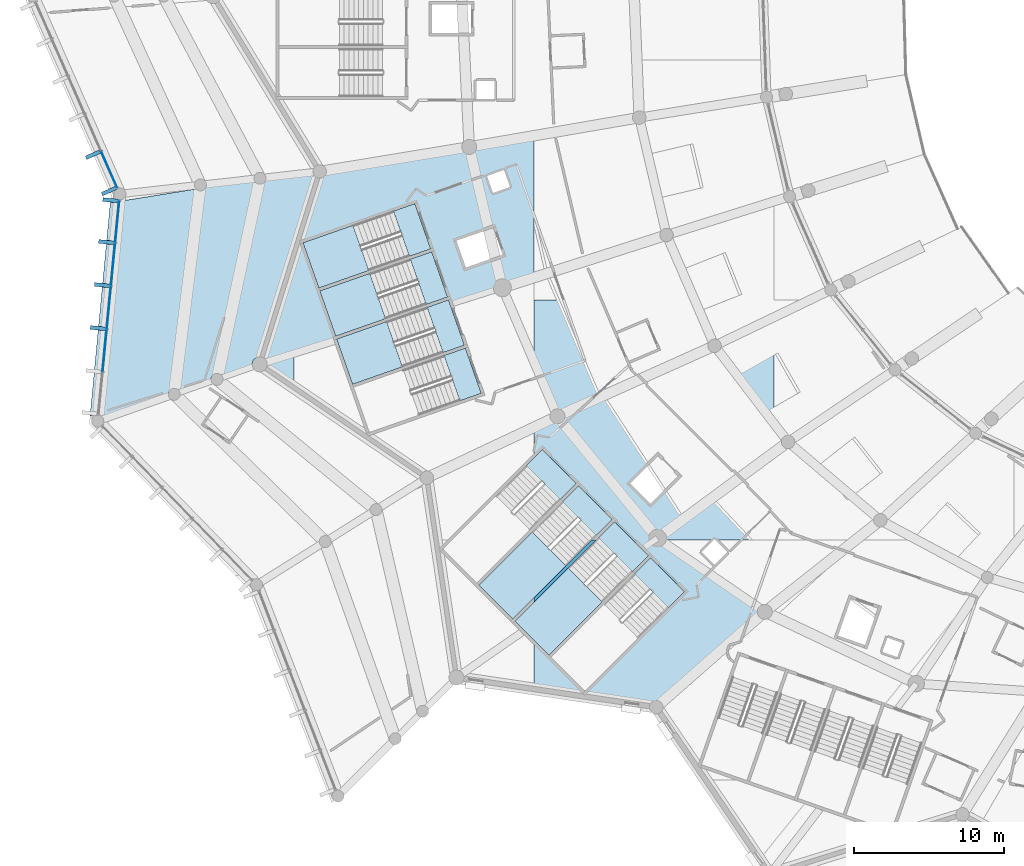
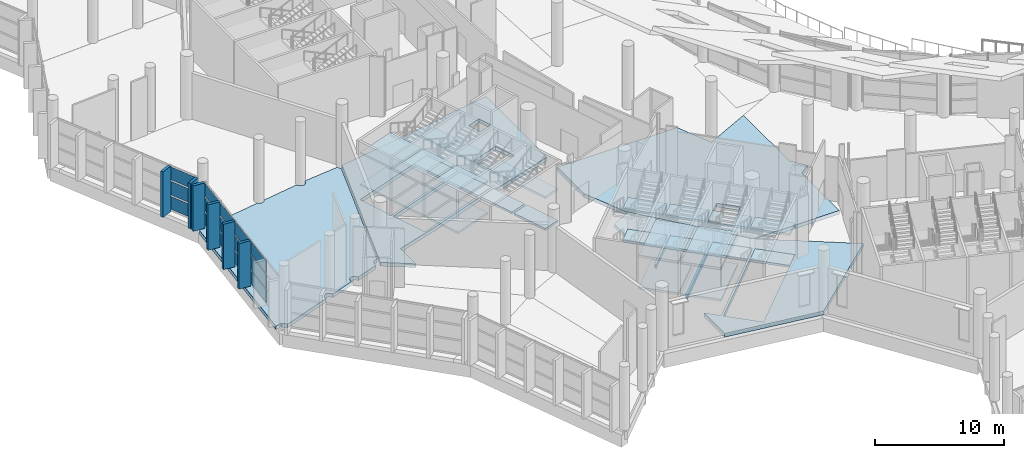
# One storey, part 98 of 249: 31 slabs, 21 plates, 10 elements without a shape of their own.
"""IFC4 building model written with IfcOpenShell, lengths in metres."""

from ifc_helpers import new_model, si_unit, direction, frame, origin, origin_2d, place, context, subcontext, project, spatial, polyline, rectangle, outline, extrude, material, layer, layer_set, type_object, element, aggregate, save


model = new_model("IFC4")

# Units and contexts
model_context = context("Model", 3, precision=1e-05, world=origin(), true_north=direction((0.0, 1.0)))
body_context = subcontext(model_context, "Body", "Model", "MODEL_VIEW")
ifc_project = project(units=[si_unit("LENGTHUNIT", "METRE"), si_unit("AREAUNIT", "SQUARE_METRE"), si_unit("VOLUMEUNIT", "CUBIC_METRE"), si_unit("PLANEANGLEUNIT", "RADIAN"), si_unit("MASSUNIT", "GRAM", prefix="KILO")], contexts=[model_context])

# Site, building, storey
site_placement = place(None, origin())
site = spatial("IfcSite", under=ifc_project, at=site_placement, CompositionType="ELEMENT")
building_placement = place(site_placement, origin())
building = spatial("IfcBuilding", under=site, at=building_placement, Name="Meseta Stadium", CompositionType="ELEMENT")
storey_placement = place(building_placement, frame((0.0, 0.0, 12.0)))
storey = spatial("IfcBuildingStorey", under=building, at=storey_placement, Name="L02", CompositionType="ELEMENT", Elevation=12.0)

# Slabs
ifc_material_1 = material(Name="Concrete C40/50", Category="concrete")
ifc_layer_1 = layer(ifc_material_1, 0.35009765625)
ifc_layer_set_1 = layer_set([ifc_layer_1], Name="Floor slab 350")
slab_type_1 = type_object("IfcSlabType", Name="Floor slab 350", PredefinedType="FLOOR", material=ifc_layer_set_1)
slab_1_placement = place(storey_placement, frame((0.0, 0.0, -0.35009765625)))
element("IfcSlab", 1, at=slab_1_placement, inside=storey, type_object=slab_type_1, Name="Floor slab L02 sector 35 panel 03", PredefinedType="FLOOR", context=body_context, shape_type="SweptSolid", body=[
    extrude(outline(polyline([(-85.63037109375, -64.211181640625), (-80.0, -62.44580078125), (-80.0, -52.975830078125), (-84.33154296875, -53.67333984375), (-84.3251953125, -53.801513671875), (-94.29443359375, -55.44140625), (-98.291015625, -68.297607421875), (-96.0, -69.85205078125), (-96.0, -67.46240234375), (-92.1708984375, -66.26171875), (-85.70458984375, -63.9990234375), (-85.63037109375, -64.211181640625)]), holes=[polyline([(-82.723876953125, -59.195068359375), (-82.09619140625, -60.988525390625), (-84.55029296875, -61.84716796875), (-85.177978515625, -60.0537109375), (-82.723876953125, -59.195068359375)]), polyline([(-94.2841796875, -63.399169921875), (-86.827392578125, -60.789794921875), (-85.7705078125, -63.810302734375), (-93.227294921875, -66.419677734375), (-94.2841796875, -63.399169921875)]), polyline([(-95.406982421875, -60.18994140625), (-87.950439453125, -57.580810546875), (-86.8935546875, -60.601318359375), (-94.35009765625, -63.21044921875), (-95.406982421875, -60.18994140625)]), polyline([(-82.74267578125, -56.870849609375), (-83.138916015625, -55.73828125), (-82.006103515625, -55.341796875), (-81.60986328125, -56.474609375), (-82.74267578125, -56.870849609375)])]), origin(), (0.0, 0.0, 1.0), 0.35009765625),
])
slab_2_placement = place(storey_placement, frame((0.0, 0.0, -0.35009765625)))
element("IfcSlab", 2, at=slab_2_placement, inside=storey, type_object=slab_type_1, Name="Floor slab L02 sector 35 panel 08", PredefinedType="FLOOR", context=body_context, shape_type="SweptSolid", body=[
    extrude(outline(polyline([(-80.0, -83.858642578125), (-80.0, -84.141357421875), (-75.858642578125, -80.0), (-76.141357421875, -80.0), (-80.0, -83.858642578125)])), origin(), (0.0, 0.0, 1.0), 0.35009765625),
])
slab_3_placement = place(storey_placement, frame((0.0, 0.0, -0.35009765625)))
element("IfcSlab", 3, at=slab_3_placement, inside=storey, type_object=slab_type_1, Name="Floor slab L02 sector 35 panel 09", PredefinedType="FLOOR", context=body_context, shape_type="SweptSolid", body=[
    extrude(outline(polyline([(-74.779296875, -78.6376953125), (-76.141357421875, -80.0), (-75.858642578125, -80.0), (-74.6376953125, -78.779296875), (-72.375, -81.0419921875), (-79.02197265625, -87.688720703125), (-80.0, -86.710693359375), (-80.0, -89.94189453125), (-71.856689453125, -91.15087890625), (-64.6220703125, -84.79248046875), (-71.775390625, -79.888916015625), (-78.246337890625, -71.998779296875), (-80.0, -72.84228515625), (-80.0, -74.524658203125), (-79.4462890625, -73.970947265625), (-77.183349609375, -76.233642578125), (-80.0, -79.05029296875), (-80.0, -79.3330078125), (-77.0419921875, -76.375), (-74.779296875, -78.6376953125)]), holes=[polyline([(-78.880615234375, -87.830078125), (-72.233642578125, -81.183349609375), (-69.970947265625, -83.4462890625), (-76.61767578125, -90.093017578125), (-78.880615234375, -87.830078125)])]), origin(), (0.0, 0.0, 1.0), 0.35009765625),
])
slab_4_placement = place(storey_placement, frame((0.0, 0.0, -0.35009765625)))
element("IfcSlab", 4, at=slab_4_placement, inside=storey, type_object=slab_type_1, Name="Floor slab L02 sector 35 panel 11", PredefinedType="FLOOR", context=body_context, shape_type="SweptSolid", body=[
    extrude(outline(polyline([(-64.0, -65.1474609375), (-67.972412109375, -67.057861328125), (-69.297119140625, -64.0), (-80.0, -64.0), (-80.0, -68.13232421875), (-78.4453125, -71.756103515625), (-71.775390625, -79.888916015625), (-71.61328125, -80.0), (-68.009765625, -80.0), (-67.963134765625, -79.953369140625), (-67.91650390625, -80.0), (-64.0, -80.0), (-64.0, -74.15673828125), (-63.068115234375, -73.469970703125), (-64.0, -72.251708984375), (-64.0, -65.1474609375)]), holes=[polyline([(-73.584716796875, -76.2412109375), (-71.74609375, -74.402587890625), (-70.402587890625, -75.74609375), (-72.2412109375, -77.584716796875), (-73.584716796875, -76.2412109375)])]), origin(), (0.0, 0.0, 1.0), 0.35009765625),
])
slab_5_placement = place(storey_placement, frame((0.0, 0.0, -0.35009765625)))
element("IfcSlab", 5, at=slab_5_placement, inside=storey, type_object=slab_type_1, Name="Ring floor slab L02 5 part 2 panel 03", PredefinedType="FLOOR", context=body_context, shape_type="SweptSolid", body=[
    extrude(outline(polyline([(-94.74169921875, -55.491943359375), (-97.87158203125, -55.844482421875), (-97.86572265625, -55.889404296875), (-97.879638671875, -55.993896484375), (-97.919921875, -56.091064453125), (-97.98388671875, -56.174560546875), (-98.0673828125, -56.23876953125), (-98.164794921875, -56.279052734375), (-98.269287109375, -56.292724609375), (-98.373779296875, -56.279052734375), (-98.470947265625, -56.23876953125), (-98.554443359375, -56.174560546875), (-98.61865234375, -56.091064453125), (-98.658935546875, -55.993896484375), (-98.66064453125, -55.981201171875), (-101.87841796875, -56.49951171875), (-101.894775390625, -56.538818359375), (-101.958740234375, -56.62255859375), (-102.04248046875, -56.6865234375), (-102.1396484375, -56.726806640625), (-102.244140625, -56.740478515625), (-102.348388671875, -56.726806640625), (-102.44580078125, -56.6865234375), (-102.529296875, -56.62255859375), (-102.541748046875, -56.606201171875), (-108.255615234375, -57.526611328125), (-109.601318359375, -71.726806640625), (-109.03564453125, -71.54931640625), (-109.048095703125, -71.6767578125), (-108.982421875, -71.685302734375), (-108.88525390625, -71.7255859375), (-108.801513671875, -71.789794921875), (-108.737548828125, -71.873291015625), (-108.708740234375, -71.94287109375), (-104.3681640625, -70.423828125), (-104.379638671875, -70.39599609375), (-104.393310546875, -70.29150390625), (-104.379638671875, -70.18701171875), (-104.33935546875, -70.08984375), (-104.275146484375, -70.00634765625), (-104.191650390625, -69.942138671875), (-104.094482421875, -69.90185546875), (-103.989990234375, -69.88818359375), (-103.885498046875, -69.90185546875), (-103.7880859375, -69.942138671875), (-103.70458984375, -70.00634765625), (-103.640380859375, -70.08984375), (-103.61181640625, -70.1591796875), (-101.5185546875, -69.4267578125), (-101.5302734375, -69.39892578125), (-101.5439453125, -69.29443359375), (-101.5302734375, -69.190185546875), (-101.489990234375, -69.0927734375), (-101.42578125, -69.00927734375), (-101.34228515625, -68.945068359375), (-101.2451171875, -68.90478515625), (-101.140380859375, -68.89111328125), (-101.0361328125, -68.90478515625), (-100.938720703125, -68.945068359375), (-100.855224609375, -69.00927734375), (-100.791015625, -69.0927734375), (-100.762451171875, -69.162109375), (-98.763916015625, -68.462890625), (-98.7783203125, -68.427978515625), (-98.79541015625, -68.297607421875), (-98.7783203125, -68.1669921875), (-98.727783203125, -68.04541015625), (-98.647705078125, -67.94091796875), (-98.543212890625, -67.860595703125), (-98.421630859375, -67.810302734375), (-98.29150390625, -67.793212890625), (-94.563720703125, -55.802001953125), (-94.615478515625, -55.762451171875), (-94.6875, -55.66845703125), (-94.73291015625, -55.558837890625), (-94.74169921875, -55.491943359375)])), origin(), (0.0, 0.0, 1.0), 0.35009765625),
])

# Curtain wall, plates
ifc_material_2 = material(Name="Aluminium", Category="aluminium")
ifc_layer_2 = layer(ifc_material_2, 0.199951171875)
ifc_layer_set_2 = layer_set([ifc_layer_2], Name="Ring shopfront curtain wall")
curtain_wall_type = type_object("IfcCurtainWallType", Name="Ring shopfront curtain wall", PredefinedType="NOTDEFINED", material=ifc_layer_set_2)
curtain_wall_1_placement = place(storey_placement, origin())
curtain_wall_1 = element("IfcCurtainWall", 6, at=curtain_wall_1_placement, inside=storey, type_object=curtain_wall_type, Name="Ring glazing L02 F36", PredefinedType="NOTDEFINED")
ifc_material_3 = material(Name="Glass", Category="glass")
ifc_layer_3 = layer(ifc_material_3, 0.035888671875)
ifc_layer_set_3 = layer_set([ifc_layer_3], Name="Ring CW glass panel 36")
plate_type_1 = type_object("IfcPlateType", Name="Ring CW glass panel 36", PredefinedType="CURTAIN_PANEL", material=ifc_layer_set_3)
plate_1_placement = place(storey_placement, frame((-108.32373046875, -55.31591796875, 0.14990234375), z_axis=(0.0, 0.0, 1.0), x_axis=(0.401891921186, -0.915687110145, 0.0)))
plate_1 = element("IfcPlate", 7, at=plate_1_placement, type_object=plate_type_1, Name="CWR1 panel 5.1", PredefinedType="CURTAIN_PANEL", context=body_context, shape_type="SweptSolid", body=[
    extrude(rectangle(XDim=2.63134765625, YDim=0.035888671875, at=origin_2d()), origin(), (0.0, 0.0, 1.0), 1.208251953125),
])
plate_2_placement = place(storey_placement, frame((-108.32373046875, -55.31591796875, 1.50830078125), z_axis=(0.0, 0.0, 1.0), x_axis=(0.401891921186, -0.915687110145, 0.0)))
plate_2 = element("IfcPlate", 8, at=plate_2_placement, type_object=plate_type_1, Name="CWR1 panel 5.2", PredefinedType="CURTAIN_PANEL", context=body_context, shape_type="SweptSolid", body=[
    extrude(rectangle(XDim=2.63134765625, YDim=0.035888671875, at=origin_2d()), origin(), (0.0, 0.0, 1.0), 1.283447265625),
])
plate_3_placement = place(storey_placement, frame((-108.32373046875, -55.31591796875, 2.94189453125), z_axis=(0.0, 0.0, 1.0), x_axis=(0.401891921186, -0.915687110145, 0.0)))
plate_3 = element("IfcPlate", 9, at=plate_3_placement, type_object=plate_type_1, Name="CWR1 panel 5.3", PredefinedType="CURTAIN_PANEL", context=body_context, shape_type="SweptSolid", body=[
    extrude(rectangle(XDim=2.63134765625, YDim=0.035888671875, at=origin_2d()), origin(), (0.0, 0.0, 1.0), 1.208251953125),
])
aggregate(curtain_wall_1, [plate_1, plate_2, plate_3])

curtain_wall_2_placement = place(storey_placement, origin())
curtain_wall_2 = element("IfcCurtainWall", 10, at=curtain_wall_2_placement, inside=storey, type_object=curtain_wall_type, Name="Ring glazing L02 F37", PredefinedType="NOTDEFINED")
plate_4_placement = place(storey_placement, frame((-107.790283203125, -58.78857421875, 0.14990234375), z_axis=(0.0, 0.0, 1.0), x_axis=(-0.097124618973, -0.995272228282, 0.0)))
plate_4 = element("IfcPlate", 11, at=plate_4_placement, type_object=plate_type_1, Name="CWR1 panel 1.1", PredefinedType="CURTAIN_PANEL", context=body_context, shape_type="SweptSolid", body=[
    extrude(rectangle(XDim=2.791015625, YDim=0.035888671875, at=origin_2d()), origin(), (0.0, 0.0, 1.0), 1.208251953125),
])
plate_5_placement = place(storey_placement, frame((-107.790283203125, -58.78857421875, 1.50830078125), z_axis=(0.0, 0.0, 1.0), x_axis=(-0.097124618973, -0.995272228282, 0.0)))
plate_5 = element("IfcPlate", 12, at=plate_5_placement, type_object=plate_type_1, Name="CWR1 panel 1.2", PredefinedType="CURTAIN_PANEL", context=body_context, shape_type="SweptSolid", body=[
    extrude(rectangle(XDim=2.791015625, YDim=0.035888671875, at=origin_2d()), origin(), (0.0, 0.0, 1.0), 1.283447265625),
])
plate_6_placement = place(storey_placement, frame((-107.790283203125, -58.78857421875, 2.94189453125), z_axis=(0.0, 0.0, 1.0), x_axis=(-0.097124618973, -0.995272228282, 0.0)))
plate_6 = element("IfcPlate", 13, at=plate_6_placement, type_object=plate_type_1, Name="CWR1 panel 1.3", PredefinedType="CURTAIN_PANEL", context=body_context, shape_type="SweptSolid", body=[
    extrude(rectangle(XDim=2.791015625, YDim=0.035888671875, at=origin_2d()), origin(), (0.0, 0.0, 1.0), 1.208251953125),
])
plate_7_placement = place(storey_placement, frame((-108.06884765625, -61.64111328125, 0.14990234375), z_axis=(0.0, 0.0, 1.0), x_axis=(-0.097124618973, -0.995272228282, 0.0)))
plate_7 = element("IfcPlate", 14, at=plate_7_placement, type_object=plate_type_1, Name="CWR1 panel 2.1", PredefinedType="CURTAIN_PANEL", context=body_context, shape_type="SweptSolid", body=[
    extrude(rectangle(XDim=2.821044921875, YDim=0.035888671875, at=origin_2d()), origin(), (0.0, 0.0, 1.0), 1.208251953125),
])
plate_8_placement = place(storey_placement, frame((-108.06884765625, -61.64111328125, 1.50830078125), z_axis=(0.0, 0.0, 1.0), x_axis=(-0.097124618973, -0.995272228282, 0.0)))
plate_8 = element("IfcPlate", 15, at=plate_8_placement, type_object=plate_type_1, Name="CWR1 panel 2.2", PredefinedType="CURTAIN_PANEL", context=body_context, shape_type="SweptSolid", body=[
    extrude(rectangle(XDim=2.821044921875, YDim=0.035888671875, at=origin_2d()), origin(), (0.0, 0.0, 1.0), 1.283447265625),
])
plate_9_placement = place(storey_placement, frame((-108.06884765625, -61.64111328125, 2.94189453125), z_axis=(0.0, 0.0, 1.0), x_axis=(-0.097124618973, -0.995272228282, 0.0)))
plate_9 = element("IfcPlate", 16, at=plate_9_placement, type_object=plate_type_1, Name="CWR1 panel 2.3", PredefinedType="CURTAIN_PANEL", context=body_context, shape_type="SweptSolid", body=[
    extrude(rectangle(XDim=2.821044921875, YDim=0.035888671875, at=origin_2d()), origin(), (0.0, 0.0, 1.0), 1.208251953125),
])
plate_10_placement = place(storey_placement, frame((-108.3486328125, -64.508544921875, 0.14990234375), z_axis=(0.0, 0.0, 1.0), x_axis=(-0.097124618973, -0.995272228282, 0.0)))
plate_10 = element("IfcPlate", 17, at=plate_10_placement, type_object=plate_type_1, Name="CWR1 panel 3.1", PredefinedType="CURTAIN_PANEL", context=body_context, shape_type="SweptSolid", body=[
    extrude(rectangle(XDim=2.821044921875, YDim=0.035888671875, at=origin_2d()), origin(), (0.0, 0.0, 1.0), 1.208251953125),
])
plate_11_placement = place(storey_placement, frame((-108.3486328125, -64.508544921875, 1.50830078125), z_axis=(0.0, 0.0, 1.0), x_axis=(-0.097124618973, -0.995272228282, 0.0)))
plate_11 = element("IfcPlate", 18, at=plate_11_placement, type_object=plate_type_1, Name="CWR1 panel 3.2", PredefinedType="CURTAIN_PANEL", context=body_context, shape_type="SweptSolid", body=[
    extrude(rectangle(XDim=2.821044921875, YDim=0.035888671875, at=origin_2d()), origin(), (0.0, 0.0, 1.0), 1.283447265625),
])
plate_12_placement = place(storey_placement, frame((-108.3486328125, -64.508544921875, 2.94189453125), z_axis=(0.0, 0.0, 1.0), x_axis=(-0.097124618973, -0.995272228282, 0.0)))
plate_12 = element("IfcPlate", 19, at=plate_12_placement, type_object=plate_type_1, Name="CWR1 panel 3.3", PredefinedType="CURTAIN_PANEL", context=body_context, shape_type="SweptSolid", body=[
    extrude(rectangle(XDim=2.821044921875, YDim=0.035888671875, at=origin_2d()), origin(), (0.0, 0.0, 1.0), 1.208251953125),
])
plate_13_placement = place(storey_placement, frame((-108.62841796875, -67.3759765625, 0.14990234375), z_axis=(0.0, 0.0, 1.0), x_axis=(-0.097124618973, -0.995272228282, 0.0)))
plate_13 = element("IfcPlate", 20, at=plate_13_placement, type_object=plate_type_1, Name="CWR1 panel 4.1", PredefinedType="CURTAIN_PANEL", context=body_context, shape_type="SweptSolid", body=[
    extrude(rectangle(XDim=2.821044921875, YDim=0.035888671875, at=origin_2d()), origin(), (0.0, 0.0, 1.0), 1.208251953125),
])
plate_14_placement = place(storey_placement, frame((-108.62841796875, -67.3759765625, 1.50830078125), z_axis=(0.0, 0.0, 1.0), x_axis=(-0.097124618973, -0.995272228282, 0.0)))
plate_14 = element("IfcPlate", 21, at=plate_14_placement, type_object=plate_type_1, Name="CWR1 panel 4.2", PredefinedType="CURTAIN_PANEL", context=body_context, shape_type="SweptSolid", body=[
    extrude(rectangle(XDim=2.821044921875, YDim=0.035888671875, at=origin_2d()), origin(), (0.0, 0.0, 1.0), 1.283447265625),
])
plate_15_placement = place(storey_placement, frame((-108.62841796875, -67.3759765625, 2.94189453125), z_axis=(0.0, 0.0, 1.0), x_axis=(-0.097124618973, -0.995272228282, 0.0)))
plate_15 = element("IfcPlate", 22, at=plate_15_placement, type_object=plate_type_1, Name="CWR1 panel 4.3", PredefinedType="CURTAIN_PANEL", context=body_context, shape_type="SweptSolid", body=[
    extrude(rectangle(XDim=2.821044921875, YDim=0.035888671875, at=origin_2d()), origin(), (0.0, 0.0, 1.0), 1.208251953125),
])
aggregate(curtain_wall_2, [plate_4, plate_5, plate_6, plate_7, plate_8, plate_9, plate_10, plate_11, plate_12, plate_13, plate_14, plate_15])

# Plates
ifc_material_4 = material(Name="Precast concrete C40/50", Category="concrete")
ifc_layer_4 = layer(ifc_material_4, 0.25)
ifc_layer_set_4 = layer_set([ifc_layer_4], Name="Ring brise-soleil fin 250x1000")
plate_type_2 = type_object("IfcPlateType", Name="Ring brise-soleil fin 250x1000", PredefinedType="USERDEFINED", material=ifc_layer_set_4)
for number, where, z_axis, x_axis, name in (
    (23, (-109.4140625, -54.32470703125, 0.0), (0.0, 0.0, 1.0), (0.401891841261, -0.915687145224, 0.0), "Brise-soleil fin L02 F36.5"),
    (24, (-108.3505859375, -56.748046875, 0.0), (0.0, 0.0, 1.0), (0.401891841261, -0.915687145224, 0.0), "Brise-soleil fin L02 F36.6"),
    (25, (-108.25341796875, -57.356201171875, 0.0), (0.0, 0.0, 1.0), (-0.097122584472, -0.995272426819, 0.0), "Brise-soleil fin L02 F37.1"),
    (26, (-108.52587890625, -60.14892578125, 0.0), (0.0, 0.0, 1.0), (-0.097122584472, -0.995272426819, 0.0), "Brise-soleil fin L02 F37.2"),
    (27, (-108.805908203125, -63.0166015625, 0.0), (0.0, 0.0, 1.0), (-0.097122584472, -0.995272426819, 0.0), "Brise-soleil fin L02 F37.3"),
    (28, (-109.085693359375, -65.8837890625, 0.0), (0.0, 0.0, 1.0), (-0.097122584472, -0.995272426819, 0.0), "Brise-soleil fin L02 F37.4"),
):
    element("IfcPlate", number, at=place(storey_placement, frame(where, z_axis=z_axis, x_axis=x_axis)), inside=storey, type_object=plate_type_2, Name=name, ObjectType="FIN", PredefinedType="USERDEFINED", context=body_context, shape_type="SweptSolid", body=[
        extrude(rectangle(XDim=0.25, YDim=1.0, at=origin_2d()), origin(), (0.0, 0.0, 1.0), 4.300048828125),
    ])

# Stair, slabs
ifc_material_5 = material(Name="Concrete C40/50", Category="concrete")
stair_type = type_object("IfcStairType", Name="Exit stair 4 flights 150 mm risers", PredefinedType="HALF_TURN_STAIR", material=ifc_material_5)
stair_1_placement = place(storey_placement, origin())
stair_1 = element("IfcStair", 29, at=stair_1_placement, inside=storey, type_object=stair_type, Name="ST77 L02", PredefinedType="HALF_TURN_STAIR")
ifc_material_6 = material(Name="Concrete C40/50", Category="concrete")
ifc_layer_5 = layer(ifc_material_6, 0.199951171875)
ifc_layer_set_5 = layer_set([ifc_layer_5], Name="Stair landing 200")
slab_type_2 = type_object("IfcSlabType", Name="Stair landing 200", PredefinedType="LANDING", material=ifc_layer_set_5)
slab_6_placement = place(storey_placement, frame((0.0, 0.0, 1.300048828125)))
slab_6 = element("IfcSlab", 30, at=slab_6_placement, type_object=slab_type_2, Name="ST77 L02 landing 1", PredefinedType="LANDING", context=body_context, shape_type="SweptSolid", body=[
    extrude(outline(polyline([(-92.0751953125, -59.024169921875), (-95.406982421875, -60.18994140625), (-94.35009765625, -63.21044921875), (-91.018310546875, -62.04443359375), (-92.0751953125, -59.024169921875)])), origin(), (0.0, 0.0, 1.0), 0.199951171875),
])
slab_7_placement = place(storey_placement, frame((0.0, 0.0, 2.800048828125)))
slab_7 = element("IfcSlab", 31, at=slab_7_placement, type_object=slab_type_2, Name="ST77 L02 landing 2", PredefinedType="LANDING", context=body_context, shape_type="SweptSolid", body=[
    extrude(outline(polyline([(-87.950439453125, -57.580810546875), (-89.375732421875, -58.079345703125), (-88.31884765625, -61.099853515625), (-86.8935546875, -60.60107421875), (-87.950439453125, -57.580810546875)])), origin(), (0.0, 0.0, 1.0), 0.199951171875),
])
slab_8_placement = place(storey_placement, frame((0.0, 0.0, 4.300048828125)))
slab_8 = element("IfcSlab", 32, at=slab_8_placement, type_object=slab_type_2, Name="ST77 L02 landing 3", PredefinedType="LANDING", context=body_context, shape_type="SweptSolid", body=[
    extrude(outline(polyline([(-92.0751953125, -59.024169921875), (-95.406982421875, -60.18994140625), (-94.35009765625, -63.21044921875), (-91.018310546875, -62.04443359375), (-92.0751953125, -59.024169921875)])), origin(), (0.0, 0.0, 1.0), 0.199951171875),
])
slab_9_placement = place(storey_placement, frame((0.0, 0.0, -0.199951171875)))
slab_9 = element("IfcSlab", 33, at=slab_9_placement, type_object=slab_type_2, Name="ST77 L02 landing 4", PredefinedType="LANDING", context=body_context, shape_type="SweptSolid", body=[
    extrude(outline(polyline([(-87.950439453125, -57.580810546875), (-89.375732421875, -58.079345703125), (-88.31884765625, -61.099853515625), (-86.8935546875, -60.60107421875), (-87.950439453125, -57.580810546875)])), origin(), (0.0, 0.0, 1.0), 0.199951171875),
])
aggregate(stair_1, [slab_6, slab_7, slab_8, slab_9])

stair_2_placement = place(storey_placement, origin())
stair_2 = element("IfcStair", 34, at=stair_2_placement, inside=storey, type_object=stair_type, Name="ST78 L02", PredefinedType="HALF_TURN_STAIR")
slab_10_placement = place(storey_placement, frame((0.0, 0.0, 1.300048828125)))
slab_10 = element("IfcSlab", 35, at=slab_10_placement, type_object=slab_type_2, Name="ST78 L02 landing 1", PredefinedType="LANDING", context=body_context, shape_type="SweptSolid", body=[
    extrude(outline(polyline([(-90.9521484375, -62.233154296875), (-94.2841796875, -63.399169921875), (-93.227294921875, -66.419677734375), (-89.895263671875, -65.253662109375), (-90.9521484375, -62.233154296875)])), origin(), (0.0, 0.0, 1.0), 0.199951171875),
])
slab_11_placement = place(storey_placement, frame((0.0, 0.0, 2.800048828125)))
slab_11 = element("IfcSlab", 36, at=slab_11_placement, type_object=slab_type_2, Name="ST78 L02 landing 2", PredefinedType="LANDING", context=body_context, shape_type="SweptSolid", body=[
    extrude(outline(polyline([(-86.827392578125, -60.7900390625), (-88.252685546875, -61.28857421875), (-87.19580078125, -64.30908203125), (-85.7705078125, -63.810302734375), (-86.827392578125, -60.7900390625)])), origin(), (0.0, 0.0, 1.0), 0.199951171875),
])
slab_12_placement = place(storey_placement, frame((0.0, 0.0, 4.300048828125)))
slab_12 = element("IfcSlab", 37, at=slab_12_placement, type_object=slab_type_2, Name="ST78 L02 landing 3", PredefinedType="LANDING", context=body_context, shape_type="SweptSolid", body=[
    extrude(outline(polyline([(-90.9521484375, -62.233154296875), (-94.2841796875, -63.399169921875), (-93.227294921875, -66.419677734375), (-89.895263671875, -65.253662109375), (-90.9521484375, -62.233154296875)])), origin(), (0.0, 0.0, 1.0), 0.199951171875),
])
slab_13_placement = place(storey_placement, frame((0.0, 0.0, -0.199951171875)))
slab_13 = element("IfcSlab", 38, at=slab_13_placement, type_object=slab_type_2, Name="ST78 L02 landing 4", PredefinedType="LANDING", context=body_context, shape_type="SweptSolid", body=[
    extrude(outline(polyline([(-86.827392578125, -60.7900390625), (-88.252685546875, -61.28857421875), (-87.19580078125, -64.30908203125), (-85.7705078125, -63.810302734375), (-86.827392578125, -60.7900390625)])), origin(), (0.0, 0.0, 1.0), 0.199951171875),
])
aggregate(stair_2, [slab_10, slab_11, slab_12, slab_13])

stair_3_placement = place(storey_placement, origin())
stair_3 = element("IfcStair", 39, at=stair_3_placement, inside=storey, type_object=stair_type, Name="ST79 L02", PredefinedType="HALF_TURN_STAIR")
slab_14_placement = place(storey_placement, frame((0.0, 0.0, 1.300048828125)))
slab_14 = element("IfcSlab", 40, at=slab_14_placement, type_object=slab_type_2, Name="ST79 L02 landing 1", PredefinedType="LANDING", context=body_context, shape_type="SweptSolid", body=[
    extrude(outline(polyline([(-89.829345703125, -65.4423828125), (-93.1611328125, -66.6083984375), (-92.104248046875, -69.628662109375), (-88.772216796875, -68.462890625), (-89.829345703125, -65.4423828125)])), origin(), (0.0, 0.0, 1.0), 0.199951171875),
])
slab_15_placement = place(storey_placement, frame((0.0, 0.0, 2.800048828125)))
slab_15 = element("IfcSlab", 41, at=slab_15_placement, type_object=slab_type_2, Name="ST79 L02 landing 2", PredefinedType="LANDING", context=body_context, shape_type="SweptSolid", body=[
    extrude(outline(polyline([(-85.704345703125, -63.9990234375), (-87.129638671875, -64.497802734375), (-86.07275390625, -67.518310546875), (-84.6474609375, -67.01953125), (-85.704345703125, -63.9990234375)])), origin(), (0.0, 0.0, 1.0), 0.199951171875),
])
slab_16_placement = place(storey_placement, frame((0.0, 0.0, 4.300048828125)))
slab_16 = element("IfcSlab", 42, at=slab_16_placement, type_object=slab_type_2, Name="ST79 L02 landing 3", PredefinedType="LANDING", context=body_context, shape_type="SweptSolid", body=[
    extrude(outline(polyline([(-89.829345703125, -65.4423828125), (-93.1611328125, -66.6083984375), (-92.104248046875, -69.628662109375), (-88.772216796875, -68.462890625), (-89.829345703125, -65.4423828125)])), origin(), (0.0, 0.0, 1.0), 0.199951171875),
])
slab_17_placement = place(storey_placement, frame((0.0, 0.0, -0.199951171875)))
slab_17 = element("IfcSlab", 43, at=slab_17_placement, type_object=slab_type_2, Name="ST79 L02 landing 4", PredefinedType="LANDING", context=body_context, shape_type="SweptSolid", body=[
    extrude(outline(polyline([(-85.704345703125, -63.9990234375), (-87.129638671875, -64.497802734375), (-86.07275390625, -67.518310546875), (-84.6474609375, -67.01953125), (-85.704345703125, -63.9990234375)])), origin(), (0.0, 0.0, 1.0), 0.199951171875),
])
aggregate(stair_3, [slab_14, slab_15, slab_16, slab_17])

stair_4_placement = place(storey_placement, origin())
stair_4 = element("IfcStair", 44, at=stair_4_placement, inside=storey, type_object=stair_type, Name="ST80 L02", PredefinedType="HALF_TURN_STAIR")
slab_18_placement = place(storey_placement, frame((0.0, 0.0, 2.800048828125)))
slab_18 = element("IfcSlab", 45, at=slab_18_placement, type_object=slab_type_2, Name="ST80 L02 landing 2", PredefinedType="LANDING", context=body_context, shape_type="SweptSolid", body=[
    extrude(outline(polyline([(-84.58154296875, -67.208251953125), (-86.0068359375, -67.70703125), (-84.949951171875, -70.7275390625), (-83.524658203125, -70.228759765625), (-84.58154296875, -67.208251953125)])), origin(), (0.0, 0.0, 1.0), 0.199951171875),
])
slab_19_placement = place(storey_placement, frame((0.0, 0.0, -0.199951171875)))
slab_19 = element("IfcSlab", 46, at=slab_19_placement, type_object=slab_type_2, Name="ST80 L02 landing 4", PredefinedType="LANDING", context=body_context, shape_type="SweptSolid", body=[
    extrude(outline(polyline([(-84.58154296875, -67.208251953125), (-86.0068359375, -67.70703125), (-84.949951171875, -70.7275390625), (-83.524658203125, -70.228759765625), (-84.58154296875, -67.208251953125)])), origin(), (0.0, 0.0, 1.0), 0.199951171875),
])
aggregate(stair_4, [slab_18, slab_19])

stair_5_placement = place(storey_placement, origin())
stair_5 = element("IfcStair", 47, at=stair_5_placement, inside=storey, type_object=stair_type, Name="ST81 L02", PredefinedType="HALF_TURN_STAIR")
slab_20_placement = place(storey_placement, frame((0.0, 0.0, 2.800048828125)))
slab_20 = element("IfcSlab", 48, at=slab_20_placement, type_object=slab_type_2, Name="ST81 L02 landing 2", PredefinedType="LANDING", context=body_context, shape_type="SweptSolid", body=[
    extrude(outline(polyline([(-79.446044921875, -73.970947265625), (-80.513916015625, -75.03857421875), (-78.251220703125, -77.301513671875), (-77.183349609375, -76.233642578125), (-79.446044921875, -73.970947265625)])), origin(), (0.0, 0.0, 1.0), 0.199951171875),
])
slab_21_placement = place(storey_placement, frame((0.0, 0.0, -0.199951171875)))
slab_21 = element("IfcSlab", 49, at=slab_21_placement, type_object=slab_type_2, Name="ST81 L02 landing 4", PredefinedType="LANDING", context=body_context, shape_type="SweptSolid", body=[
    extrude(outline(polyline([(-79.446044921875, -73.970947265625), (-80.513916015625, -75.03857421875), (-78.251220703125, -77.301513671875), (-77.183349609375, -76.233642578125), (-79.446044921875, -73.970947265625)])), origin(), (0.0, 0.0, 1.0), 0.199951171875),
])
aggregate(stair_5, [slab_20, slab_21])

stair_6_placement = place(storey_placement, origin())
stair_6 = element("IfcStair", 50, at=stair_6_placement, inside=storey, type_object=stair_type, Name="ST82 L02", PredefinedType="HALF_TURN_STAIR")
slab_22_placement = place(storey_placement, frame((0.0, 0.0, 1.300048828125)))
slab_22 = element("IfcSlab", 51, at=slab_22_placement, type_object=slab_type_2, Name="ST82 L02 landing 1", PredefinedType="LANDING", context=body_context, shape_type="SweptSolid", body=[
    extrude(outline(polyline([(-80.132080078125, -79.465087890625), (-83.688720703125, -83.02197265625), (-81.426025390625, -85.28466796875), (-77.869384765625, -81.727783203125), (-80.132080078125, -79.465087890625)])), origin(), (0.0, 0.0, 1.0), 0.199951171875),
])
slab_23_placement = place(storey_placement, frame((0.0, 0.0, 2.800048828125)))
slab_23 = element("IfcSlab", 52, at=slab_23_placement, type_object=slab_type_2, Name="ST82 L02 landing 2", PredefinedType="LANDING", context=body_context, shape_type="SweptSolid", body=[
    extrude(outline(polyline([(-77.0419921875, -76.375), (-78.109619140625, -77.44287109375), (-75.846923828125, -79.70556640625), (-74.779296875, -78.637939453125), (-77.0419921875, -76.375)])), origin(), (0.0, 0.0, 1.0), 0.199951171875),
])
slab_24_placement = place(storey_placement, frame((0.0, 0.0, 4.300048828125)))
slab_24 = element("IfcSlab", 53, at=slab_24_placement, type_object=slab_type_2, Name="ST82 L02 landing 3", PredefinedType="LANDING", context=body_context, shape_type="SweptSolid", body=[
    extrude(outline(polyline([(-80.132080078125, -79.465087890625), (-83.688720703125, -83.02197265625), (-81.426025390625, -85.28466796875), (-77.869384765625, -81.727783203125), (-80.132080078125, -79.465087890625)])), origin(), (0.0, 0.0, 1.0), 0.199951171875),
])
slab_25_placement = place(storey_placement, frame((0.0, 0.0, -0.199951171875)))
slab_25 = element("IfcSlab", 54, at=slab_25_placement, type_object=slab_type_2, Name="ST82 L02 landing 4", PredefinedType="LANDING", context=body_context, shape_type="SweptSolid", body=[
    extrude(outline(polyline([(-77.0419921875, -76.375), (-78.109619140625, -77.44287109375), (-75.846923828125, -79.70556640625), (-74.779296875, -78.637939453125), (-77.0419921875, -76.375)])), origin(), (0.0, 0.0, 1.0), 0.199951171875),
])
aggregate(stair_6, [slab_22, slab_23, slab_24, slab_25])

stair_7_placement = place(storey_placement, origin())
stair_7 = element("IfcStair", 55, at=stair_7_placement, inside=storey, type_object=stair_type, Name="ST83 L02", PredefinedType="HALF_TURN_STAIR")
slab_26_placement = place(storey_placement, frame((0.0, 0.0, 1.300048828125)))
slab_26 = element("IfcSlab", 56, at=slab_26_placement, type_object=slab_type_2, Name="ST83 L02 landing 1", PredefinedType="LANDING", context=body_context, shape_type="SweptSolid", body=[
    extrude(outline(polyline([(-77.727783203125, -81.869384765625), (-81.28466796875, -85.426025390625), (-79.02197265625, -87.688720703125), (-75.465087890625, -84.132080078125), (-77.727783203125, -81.869384765625)])), origin(), (0.0, 0.0, 1.0), 0.199951171875),
])
slab_27_placement = place(storey_placement, frame((0.0, 0.0, 2.800048828125)))
slab_27 = element("IfcSlab", 57, at=slab_27_placement, type_object=slab_type_2, Name="ST83 L02 landing 2", PredefinedType="LANDING", context=body_context, shape_type="SweptSolid", body=[
    extrude(outline(polyline([(-74.637939453125, -78.779296875), (-75.70556640625, -79.846923828125), (-73.44287109375, -82.109619140625), (-72.375, -81.0419921875), (-74.637939453125, -78.779296875)])), origin(), (0.0, 0.0, 1.0), 0.199951171875),
])
slab_28_placement = place(storey_placement, frame((0.0, 0.0, 4.300048828125)))
slab_28 = element("IfcSlab", 58, at=slab_28_placement, type_object=slab_type_2, Name="ST83 L02 landing 3", PredefinedType="LANDING", context=body_context, shape_type="SweptSolid", body=[
    extrude(outline(polyline([(-77.727783203125, -81.869384765625), (-81.28466796875, -85.426025390625), (-79.02197265625, -87.688720703125), (-75.465087890625, -84.132080078125), (-77.727783203125, -81.869384765625)])), origin(), (0.0, 0.0, 1.0), 0.199951171875),
])
slab_29_placement = place(storey_placement, frame((0.0, 0.0, -0.199951171875)))
slab_29 = element("IfcSlab", 59, at=slab_29_placement, type_object=slab_type_2, Name="ST83 L02 landing 4", PredefinedType="LANDING", context=body_context, shape_type="SweptSolid", body=[
    extrude(outline(polyline([(-74.637939453125, -78.779296875), (-75.70556640625, -79.846923828125), (-73.44287109375, -82.109619140625), (-72.375, -81.0419921875), (-74.637939453125, -78.779296875)])), origin(), (0.0, 0.0, 1.0), 0.199951171875),
])
aggregate(stair_7, [slab_26, slab_27, slab_28, slab_29])

stair_8_placement = place(storey_placement, origin())
stair_8 = element("IfcStair", 60, at=stair_8_placement, inside=storey, type_object=stair_type, Name="ST84 L02", PredefinedType="HALF_TURN_STAIR")
slab_30_placement = place(storey_placement, frame((0.0, 0.0, 2.800048828125)))
slab_30 = element("IfcSlab", 61, at=slab_30_placement, type_object=slab_type_2, Name="ST84 L02 landing 2", PredefinedType="LANDING", context=body_context, shape_type="SweptSolid", body=[
    extrude(outline(polyline([(-72.233642578125, -81.183349609375), (-73.301513671875, -82.251220703125), (-71.03857421875, -84.513916015625), (-69.970947265625, -83.446044921875), (-72.233642578125, -81.183349609375)])), origin(), (0.0, 0.0, 1.0), 0.199951171875),
])
slab_31_placement = place(storey_placement, frame((0.0, 0.0, -0.199951171875)))
slab_31 = element("IfcSlab", 62, at=slab_31_placement, type_object=slab_type_2, Name="ST84 L02 landing 4", PredefinedType="LANDING", context=body_context, shape_type="SweptSolid", body=[
    extrude(outline(polyline([(-72.233642578125, -81.183349609375), (-73.301513671875, -82.251220703125), (-71.03857421875, -84.513916015625), (-69.970947265625, -83.446044921875), (-72.233642578125, -81.183349609375)])), origin(), (0.0, 0.0, 1.0), 0.199951171875),
])
aggregate(stair_8, [slab_30, slab_31])

save(model, "model.ifc")
